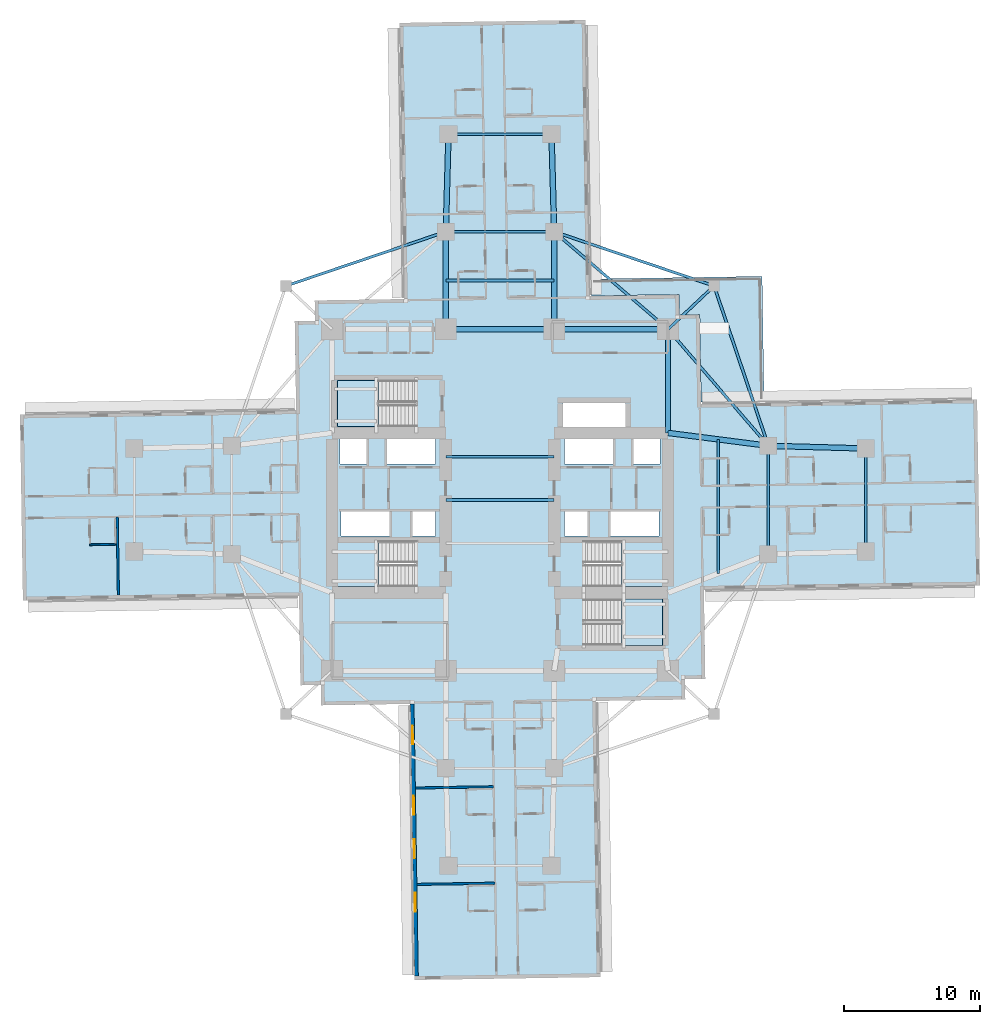
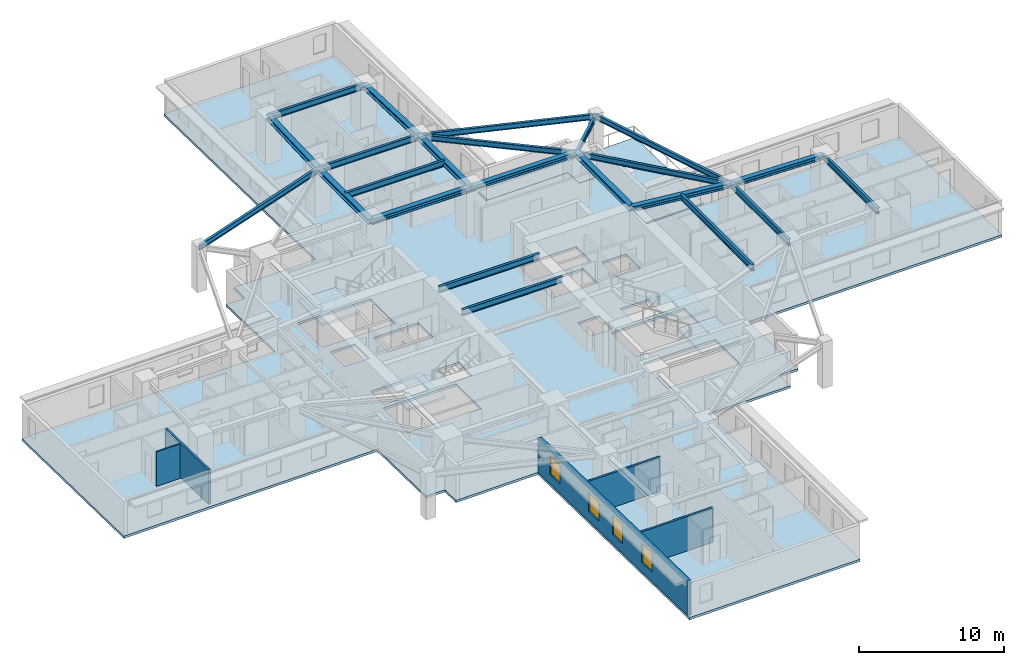
# One storey, part 2 of 14: 23 beams, 6 slabs, 5 walls, 4 windows, 4 openings, 4 elements without a shape of their own.
"""IFC4 building model written with IfcOpenShell, lengths in metres."""

from ifc_helpers import new_model, si_unit, direction, frame, frame_2d, origin, origin_2d, place, context, subcontext, project, spatial, polyline, rectangle, i_section, outline, extrude, material, layer, layer_set, material_profile, profile_set, type_object, element, fill, aggregate, save


model = new_model("IFC4")

# Units and contexts
model_context = context("Model", 3, precision=1e-05, world=origin(), true_north=direction((0.0, 1.0)))
body_context = subcontext(model_context, "Body", "Model", "MODEL_VIEW")
ifc_project = project(units=[si_unit("LENGTHUNIT", "METRE"), si_unit("AREAUNIT", "SQUARE_METRE"), si_unit("VOLUMEUNIT", "CUBIC_METRE"), si_unit("PLANEANGLEUNIT", "RADIAN"), si_unit("MASSUNIT", "GRAM", prefix="KILO")], contexts=[model_context])

# Site, building, storey
site_placement = place(None, origin())
site = spatial("IfcSite", under=ifc_project, at=site_placement, CompositionType="ELEMENT")
building_placement = place(site_placement, origin())
building = spatial("IfcBuilding", under=site, at=building_placement, Name="Qingluan Cross Belvedere", CompositionType="ELEMENT")
storey_placement = place(building_placement, frame((0.0, 0.0, 27.60009765625)))
storey = spatial("IfcBuildingStorey", under=building, at=storey_placement, Name="L07", CompositionType="ELEMENT", Elevation=27.60009765625)

# Beams
ifc_material_1 = material(Name="Steel Q420GJB", Category="steel")
ifc_material_profile_1 = material_profile(ifc_material_1, i_section(OverallWidth=0.199951171875, OverallDepth=0.449951171875, WebThickness=0.009033203125, FlangeThickness=0.013916015625, FilletRadius=0.01611328125, at=origin_2d()), Name="HN450x200x9x14")
ifc_profile_set_1 = profile_set([ifc_material_profile_1], Name="Steel Q420GJB")
beam_type_1 = type_object("IfcBeamType", Name="Steel_Beam_HN450x200x9x14", PredefinedType="JOIST", material=ifc_profile_set_1)
beam_1_placement = place(storey_placement, frame((12.39990234375, 12.60009765625, 3.454833984375), z_axis=(0.728219948308, 0.685343495546, 0.0), x_axis=(-0.685343495546, 0.728219948308, 0.0)))
element("IfcBeam", 1, at=beam_1_placement, inside=storey, type_object=beam_type_1, Name="Corner beam 1 L07-RNE", PredefinedType="JOIST", context=body_context, shape_type="SweptSolid", body=[
    extrude(i_section(OverallWidth=0.199951171875, OverallDepth=0.449951171875, WebThickness=0.009033203125, FlangeThickness=0.013916015625, FilletRadius=0.01611328125, at=origin_2d()), origin(), (0.0, 0.0, 1.0), 4.669189453125),
])
for number, where, z_axis, x_axis, name in (
    (2, (15.800048828125, 15.800048828125, 3.454833984375), (-0.947066283324, 0.321038089628, 0.0), (-0.321038089628, -0.947066283324, 0.0), "Corner beam 2 L07-RNE"),
    (3, (15.800048828125, 15.800048828125, 3.454833984375), (0.321038089628, -0.947066283324, 0.0), (0.947066283324, 0.321038089628, 0.0), "Corner beam 3 L07-RNE"),
):
    element("IfcBeam", number, at=place(storey_placement, frame(where, z_axis=z_axis, x_axis=x_axis)), inside=storey, type_object=beam_type_1, Name=name, PredefinedType="JOIST", context=body_context, shape_type="SweptSolid", body=[
        extrude(i_section(OverallWidth=0.199951171875, OverallDepth=0.449951171875, WebThickness=0.009033203125, FlangeThickness=0.013916015625, FilletRadius=0.01611328125, at=origin_2d()), origin(), (0.0, 0.0, 1.0), 12.45947265625),
    ])
beam_2_placement = place(storey_placement, frame((12.39990234375, 12.60009765625, 3.454833984375), z_axis=(0.652245077546, -0.75800815221, 0.0), x_axis=(0.75800815221, 0.652245077546, 0.0)))
element("IfcBeam", 4, at=beam_2_placement, inside=storey, type_object=beam_type_1, Name="Corner beam 4 L07-RNE", PredefinedType="JOIST", context=body_context, shape_type="SweptSolid", body=[
    extrude(i_section(OverallWidth=0.199951171875, OverallDepth=0.449951171875, WebThickness=0.009033203125, FlangeThickness=0.013916015625, FilletRadius=0.01611328125, at=origin_2d()), origin(), (0.0, 0.0, 1.0), 11.345703125),
])
beam_3_placement = place(storey_placement, frame((12.39990234375, 12.60009765625, 3.454833984375), z_axis=(-0.759255044656, 0.650793190779, 0.0), x_axis=(-0.650793190779, -0.759255044656, 0.0)))
element("IfcBeam", 5, at=beam_3_placement, inside=storey, type_object=beam_type_1, Name="Corner beam 5 L07-RNE", PredefinedType="JOIST", context=body_context, shape_type="SweptSolid", body=[
    extrude(i_section(OverallWidth=0.199951171875, OverallDepth=0.449951171875, WebThickness=0.009033203125, FlangeThickness=0.013916015625, FilletRadius=0.01611328125, at=origin_2d()), origin(), (0.0, 0.0, 1.0), 11.063232421875),
])
beam_4_placement = place(storey_placement, frame((-15.800048828125, 15.800048828125, 3.474853515625), z_axis=(0.947066283324, 0.321038089628, 0.0), x_axis=(-0.321038089628, 0.947066283324, 0.0)))
element("IfcBeam", 6, at=beam_4_placement, inside=storey, type_object=beam_type_1, Name="Corner beam 2 L07-RNW", PredefinedType="JOIST", context=body_context, shape_type="SweptSolid", body=[
    extrude(i_section(OverallWidth=0.199951171875, OverallDepth=0.449951171875, WebThickness=0.009033203125, FlangeThickness=0.013916015625, FilletRadius=0.01611328125, at=origin_2d()), origin(), (0.0, 0.0, 1.0), 12.45947265625),
])
ifc_material_2 = material(Name="Steel Q420GJB", Category="steel")
ifc_material_profile_2 = material_profile(ifc_material_2, i_section(OverallWidth=0.199951171875, OverallDepth=0.5, WebThickness=0.010009765625, FlangeThickness=0.01611328125, FilletRadius=0.01611328125, at=origin_2d()), Name="HN500x200x10x16")
ifc_profile_set_2 = profile_set([ifc_material_profile_2], Name="Steel Q420GJB")
beam_type_2 = type_object("IfcBeamType", Name="Steel_Beam_HN500x200x10x16", PredefinedType="JOIST", material=ifc_profile_set_2)
for number, where, z_axis, x_axis, name in (
    (7, (-4.0, 0.0, 3.449951171875), (1.0, 0.0, 0.0), (0.0, 1.0, 0.0), "Hall beam L07-CH2"),
    (8, (-4.0, 3.199951171875, 3.449951171875), (1.0, 0.0, 0.0), (0.0, 1.0, 0.0), "Hall beam L07-CH3"),
    (9, (19.800048828125, -4.0, 3.449951171875), (0.0, 1.0, 0.0), (-1.0, 0.0, 0.0), "Arm E tie L07"),
):
    element("IfcBeam", number, at=place(storey_placement, frame(where, z_axis=z_axis, x_axis=x_axis)), inside=storey, type_object=beam_type_2, Name=name, PredefinedType="JOIST", context=body_context, shape_type="SweptSolid", body=[
        extrude(i_section(OverallWidth=0.199951171875, OverallDepth=0.5, WebThickness=0.010009765625, FlangeThickness=0.01611328125, FilletRadius=0.01611328125, at=origin_2d()), origin(), (0.0, 0.0, 1.0), 8.0),
    ])
beam_5_placement = place(storey_placement, frame((16.10009765625, -5.425048828125, 3.449951171875), z_axis=(0.0, 1.0, 0.0), x_axis=(-1.0, 0.0, 0.0)))
element("IfcBeam", 10, at=beam_5_placement, inside=storey, type_object=beam_type_2, Name="Arm E beam L07", PredefinedType="JOIST", context=body_context, shape_type="SweptSolid", body=[
    extrude(i_section(OverallWidth=0.199951171875, OverallDepth=0.5, WebThickness=0.010009765625, FlangeThickness=0.01611328125, FilletRadius=0.01611328125, at=origin_2d()), origin(), (0.0, 0.0, 1.0), 9.900146484375),
])
beam_6_placement = place(storey_placement, frame((27.0, -3.800048828125, 3.449951171875), z_axis=(0.0, 1.0, 0.0), x_axis=(-1.0, 0.0, 0.0)))
element("IfcBeam", 11, at=beam_6_placement, inside=storey, type_object=beam_type_2, Name="Arm E tip transverse beam L07", PredefinedType="JOIST", context=body_context, shape_type="SweptSolid", body=[
    extrude(i_section(OverallWidth=0.199951171875, OverallDepth=0.5, WebThickness=0.010009765625, FlangeThickness=0.01611328125, FilletRadius=0.01611328125, at=origin_2d()), origin(), (0.0, 0.0, 1.0), 7.60009765625),
])
for number, where, z_axis, x_axis, name in (
    (12, (-4.0, 19.800048828125, 3.449951171875), (1.0, 0.0, 0.0), (0.0, 1.0, 0.0), "Arm N tie L07"),
    (13, (-4.0, 16.199951171875, 3.449951171875), (1.0, 0.0, 0.0), (0.0, 1.0, 0.0), "Arm N beam L07"),
):
    element("IfcBeam", number, at=place(storey_placement, frame(where, z_axis=z_axis, x_axis=x_axis)), inside=storey, type_object=beam_type_2, Name=name, PredefinedType="JOIST", context=body_context, shape_type="SweptSolid", body=[
        extrude(i_section(OverallWidth=0.199951171875, OverallDepth=0.5, WebThickness=0.010009765625, FlangeThickness=0.01611328125, FilletRadius=0.01611328125, at=origin_2d()), origin(), (0.0, 0.0, 1.0), 8.0),
    ])
beam_7_placement = place(storey_placement, frame((-3.800048828125, 27.0, 3.449951171875), z_axis=(1.0, 0.0, 0.0), x_axis=(0.0, 1.0, 0.0)))
element("IfcBeam", 14, at=beam_7_placement, inside=storey, type_object=beam_type_2, Name="Arm N tip transverse beam L07", PredefinedType="JOIST", context=body_context, shape_type="SweptSolid", body=[
    extrude(i_section(OverallWidth=0.199951171875, OverallDepth=0.5, WebThickness=0.010009765625, FlangeThickness=0.01611328125, FilletRadius=0.01611328125, at=origin_2d()), origin(), (0.0, 0.0, 1.0), 7.60009765625),
])
ifc_material_3 = material(Name="Steel Q420GJB", Category="steel")
ifc_material_profile_3 = material_profile(ifc_material_3, i_section(OverallWidth=0.39990234375, OverallDepth=0.39990234375, WebThickness=0.012939453125, FlangeThickness=0.02099609375, FilletRadius=0.02197265625, at=origin_2d()), Name="HW400x400x13x21")
ifc_profile_set_3 = profile_set([ifc_material_profile_3], Name="Steel Q420GJB")
beam_type_3 = type_object("IfcBeamType", Name="Steel_Girder_HW400x400x13x21", PredefinedType="USERDEFINED", material=ifc_profile_set_3)
beam_8_placement = place(storey_placement, frame((-4.0, 12.60009765625, 3.5), z_axis=(1.0, 0.0, 0.0), x_axis=(0.0, 1.0, 0.0)))
element("IfcBeam", 15, at=beam_8_placement, inside=storey, type_object=beam_type_3, Name="Hub girder L07-HG-N2", ObjectType="GIRDER", PredefinedType="USERDEFINED", context=body_context, shape_type="SweptSolid", body=[
    extrude(i_section(OverallWidth=0.39990234375, OverallDepth=0.39990234375, WebThickness=0.012939453125, FlangeThickness=0.02099609375, FilletRadius=0.02197265625, at=origin_2d()), origin(), (0.0, 0.0, 1.0), 8.0),
])
beam_9_placement = place(storey_placement, frame((4.0, 12.60009765625, 3.5), z_axis=(1.0, 0.0, 0.0), x_axis=(0.0, 1.0, 0.0)))
element("IfcBeam", 16, at=beam_9_placement, inside=storey, type_object=beam_type_3, Name="Hub girder L07-HG-N3", ObjectType="GIRDER", PredefinedType="USERDEFINED", context=body_context, shape_type="SweptSolid", body=[
    extrude(i_section(OverallWidth=0.39990234375, OverallDepth=0.39990234375, WebThickness=0.012939453125, FlangeThickness=0.02099609375, FilletRadius=0.02197265625, at=origin_2d()), origin(), (0.0, 0.0, 1.0), 8.39990234375),
])
beam_10_placement = place(storey_placement, frame((12.39990234375, 4.949951171875, 3.5), z_axis=(0.0, 1.0, 0.0), x_axis=(-1.0, 0.0, 0.0)))
element("IfcBeam", 17, at=beam_10_placement, inside=storey, type_object=beam_type_3, Name="Hub girder L07-HG-E2", ObjectType="GIRDER", PredefinedType="USERDEFINED", context=body_context, shape_type="SweptSolid", body=[
    extrude(i_section(OverallWidth=0.39990234375, OverallDepth=0.39990234375, WebThickness=0.012939453125, FlangeThickness=0.02099609375, FilletRadius=0.02197265625, at=origin_2d()), origin(), (0.0, 0.0, 1.0), 7.650146484375),
])
beam_11_placement = place(storey_placement, frame((12.39990234375, 4.949951171875, 3.5), z_axis=(0.991861120628, -0.12732445714, 0.0), x_axis=(0.12732445714, 0.991861120628, 0.0)))
element("IfcBeam", 18, at=beam_11_placement, inside=storey, type_object=beam_type_3, Name="Arm E radial girder B L07", ObjectType="GIRDER", PredefinedType="USERDEFINED", context=body_context, shape_type="SweptSolid", body=[
    extrude(i_section(OverallWidth=0.39990234375, OverallDepth=0.39990234375, WebThickness=0.012939453125, FlangeThickness=0.02099609375, FilletRadius=0.02197265625, at=origin_2d()), origin(), (0.0, 0.0, 1.0), 7.4609375),
])
beam_12_placement = place(storey_placement, frame((19.800048828125, 4.0, 3.5), z_axis=(0.999614603568, -0.027760481514, 0.0), x_axis=(0.027760481514, 0.999614603568, 0.0)))
element("IfcBeam", 19, at=beam_12_placement, inside=storey, type_object=beam_type_3, Name="Arm E outer radial girder B L07", ObjectType="GIRDER", PredefinedType="USERDEFINED", context=body_context, shape_type="SweptSolid", body=[
    extrude(i_section(OverallWidth=0.39990234375, OverallDepth=0.39990234375, WebThickness=0.012939453125, FlangeThickness=0.02099609375, FilletRadius=0.02197265625, at=origin_2d()), origin(), (0.0, 0.0, 1.0), 7.20263671875),
])
for number, where, z_axis, x_axis, name in (
    (20, (-4.0, 12.60009765625, 3.5), (0.0, 1.0, 0.0), (-1.0, 0.0, 0.0), "Arm N radial girder A L07"),
    (21, (4.0, 12.60009765625, 3.5), (0.0, 1.0, 0.0), (-1.0, 0.0, 0.0), "Arm N radial girder B L07"),
):
    element("IfcBeam", number, at=place(storey_placement, frame(where, z_axis=z_axis, x_axis=x_axis)), inside=storey, type_object=beam_type_3, Name=name, ObjectType="GIRDER", PredefinedType="USERDEFINED", context=body_context, shape_type="SweptSolid", body=[
        extrude(i_section(OverallWidth=0.39990234375, OverallDepth=0.39990234375, WebThickness=0.012939453125, FlangeThickness=0.02099609375, FilletRadius=0.02197265625, at=origin_2d()), origin(), (0.0, 0.0, 1.0), 7.199951171875),
    ])
for number, where, z_axis, x_axis, name in (
    (22, (-4.0, 19.800048828125, 3.5), (0.027760481514, 0.999614603568, 0.0), (-0.999614603568, 0.027760481514, 0.0), "Arm N outer radial girder A L07"),
    (23, (4.0, 19.800048828125, 3.5), (-0.027760481514, 0.999614603568, 0.0), (-0.999614603568, -0.027760481514, 0.0), "Arm N outer radial girder B L07"),
):
    element("IfcBeam", number, at=place(storey_placement, frame(where, z_axis=z_axis, x_axis=x_axis)), inside=storey, type_object=beam_type_3, Name=name, ObjectType="GIRDER", PredefinedType="USERDEFINED", context=body_context, shape_type="SweptSolid", body=[
        extrude(i_section(OverallWidth=0.39990234375, OverallDepth=0.39990234375, WebThickness=0.012939453125, FlangeThickness=0.02099609375, FilletRadius=0.02197265625, at=origin_2d()), origin(), (0.0, 0.0, 1.0), 7.20263671875),
    ])

# Slab
ifc_material_4 = material(Name="Concrete C40", Category="concrete")
ifc_layer_1 = layer(ifc_material_4, 0.199951171875, Name="FloorSlab_200")
ifc_layer_set_1 = layer_set([ifc_layer_1], Name="Concrete C40")
slab_type_1 = type_object("IfcSlabType", Name="FloorSlab_200", PredefinedType="FLOOR", material=ifc_layer_set_1)
slab_1_placement = place(storey_placement, frame((0.0, 0.0, -0.2001953125)))
element("IfcSlab", 24, at=slab_1_placement, inside=storey, type_object=slab_type_1, Name="Structural floor slab L07", PredefinedType="FLOOR", context=body_context, shape_type="SweptSolid", body=[
    extrude(outline(polyline([(7.413818359375, -35.2080078125), (7.09375, -14.830322265625), (13.673095703125, -14.72705078125), (13.6494140625, -13.227294921875), (15.1494140625, -13.20361328125), (15.0458984375, -6.62451171875), (35.42333984375, -6.304443359375), (35.2080078125, 7.413818359375), (14.830322265625, 7.09375), (14.72705078125, 13.673095703125), (13.227294921875, 13.6494140625), (13.20361328125, 15.1494140625), (6.62451171875, 15.0458984375), (6.304443359375, 35.42333984375), (-7.413818359375, 35.2080078125), (-7.09375, 14.830322265625), (-13.673095703125, 14.72705078125), (-13.6494140625, 13.227294921875), (-15.1494140625, 13.20361328125), (-15.0458984375, 6.62451171875), (-35.42333984375, 6.304443359375), (-35.2080078125, -7.413818359375), (-14.830322265625, -7.09375), (-14.72705078125, -13.673095703125), (-13.227294921875, -13.6494140625), (-13.20361328125, -15.1494140625), (-6.62451171875, -15.0458984375), (-6.304443359375, -35.42333984375), (7.413818359375, -35.2080078125)]), holes=[polyline([(-12.0, -3.0), (-6.179931640625, -3.0), (-6.179931640625, -6.39990234375), (-12.0, -6.39990234375), (-12.0, -3.0)]), polyline([(6.179931640625, -3.0), (12.0, -3.0), (12.0, -6.39990234375), (6.179931640625, -6.39990234375), (6.179931640625, -3.0)]), polyline([(-12.0, 8.820068359375), (-6.179931640625, 8.820068359375), (-6.179931640625, 5.419921875), (-12.0, 5.419921875), (-12.0, 8.820068359375)]), polyline([(6.179931640625, -7.320068359375), (12.0, -7.320068359375), (12.0, -10.719970703125), (6.179931640625, -10.719970703125), (6.179931640625, -7.320068359375)]), polyline([(-11.800048828125, 4.64990234375), (-9.85009765625, 4.64990234375), (-9.85009765625, 2.64990234375), (-11.800048828125, 2.64990234375), (-11.800048828125, 4.64990234375)]), polyline([(-8.35009765625, 4.64990234375), (-4.75, 4.64990234375), (-4.75, 2.64990234375), (-8.35009765625, 2.64990234375), (-8.35009765625, 4.64990234375)]), polyline([(4.75, 4.64990234375), (8.35009765625, 4.64990234375), (8.35009765625, 2.64990234375), (4.75, 2.64990234375), (4.75, 4.64990234375)]), polyline([(9.85009765625, 4.64990234375), (11.800048828125, 4.64990234375), (11.800048828125, 2.64990234375), (9.85009765625, 2.64990234375), (9.85009765625, 4.64990234375)]), polyline([(-11.75, -0.840087890625), (-8.14990234375, -0.840087890625), (-8.14990234375, -2.659912109375), (-11.75, -2.659912109375), (-11.75, -0.840087890625)]), polyline([(-6.449951171875, -0.840087890625), (-4.75, -0.840087890625), (-4.75, -2.659912109375), (-6.449951171875, -2.659912109375), (-6.449951171875, -0.840087890625)]), polyline([(4.75, -0.840087890625), (6.449951171875, -0.840087890625), (6.449951171875, -2.659912109375), (4.75, -2.659912109375), (4.75, -0.840087890625)]), polyline([(8.14990234375, -0.840087890625), (11.75, -0.840087890625), (11.75, -2.659912109375), (8.14990234375, -2.659912109375), (8.14990234375, -0.840087890625)]), polyline([(4.64990234375, 7.14990234375), (9.25, 7.14990234375), (9.25, 5.14990234375), (4.64990234375, 5.14990234375), (4.64990234375, 7.14990234375)])]), origin(), (0.0, 0.0, 1.0), 0.2001953125),
])

# Stair, slab
ifc_material_5 = material(Name="Concrete C40", Category="concrete")
stair_type = type_object("IfcStairType", Name="CoreDoglegStair_1620", PredefinedType="HALF_TURN_STAIR", material=ifc_material_5)
stair_1_placement = place(storey_placement, origin())
stair_1 = element("IfcStair", 25, at=stair_1_placement, inside=storey, type_object=stair_type, Name="L07 ST1", PredefinedType="HALF_TURN_STAIR")
ifc_material_6 = material(Name="Concrete C40", Category="concrete")
ifc_layer_2 = layer(ifc_material_6, 0.179931640625, Name="StairLandingSlab_180")
ifc_layer_set_2 = layer_set([ifc_layer_2], Name="Concrete C40")
slab_type_2 = type_object("IfcSlabType", Name="StairLandingSlab_180", PredefinedType="LANDING", material=ifc_layer_set_2)
slab_2_placement = place(storey_placement, frame((0.0, 0.0, 1.75)))
slab_2 = element("IfcSlab", 26, at=slab_2_placement, type_object=slab_type_2, Name="ST1 landing 1", PredefinedType="LANDING", context=body_context, shape_type="SweptSolid", body=[
    extrude(outline(polyline([(-8.97998046875, -3.0), (-12.0, -3.0), (-12.0, -6.39990234375), (-8.97998046875, -6.39990234375), (-8.97998046875, -3.0)])), origin(), (0.0, 0.0, 1.0), 0.199951171875),
])
aggregate(stair_1, [slab_2])

stair_2_placement = place(storey_placement, origin())
stair_2 = element("IfcStair", 27, at=stair_2_placement, inside=storey, type_object=stair_type, Name="L07 ST2", PredefinedType="HALF_TURN_STAIR")
slab_3_placement = place(storey_placement, frame((0.0, 0.0, 1.75)))
slab_3 = element("IfcSlab", 28, at=slab_3_placement, type_object=slab_type_2, Name="ST2 landing 1", PredefinedType="LANDING", context=body_context, shape_type="SweptSolid", body=[
    extrude(outline(polyline([(8.97998046875, -6.39990234375), (12.0, -6.39990234375), (12.0, -3.0), (8.97998046875, -3.0), (8.97998046875, -6.39990234375)])), origin(), (0.0, 0.0, 1.0), 0.199951171875),
])
aggregate(stair_2, [slab_3])

stair_3_placement = place(storey_placement, origin())
stair_3 = element("IfcStair", 29, at=stair_3_placement, inside=storey, type_object=stair_type, Name="L07 ST3", PredefinedType="HALF_TURN_STAIR")
slab_4_placement = place(storey_placement, frame((0.0, 0.0, 1.75)))
slab_4 = element("IfcSlab", 30, at=slab_4_placement, type_object=slab_type_2, Name="ST3 landing 1", PredefinedType="LANDING", context=body_context, shape_type="SweptSolid", body=[
    extrude(outline(polyline([(-8.97998046875, 8.820068359375), (-12.0, 8.820068359375), (-12.0, 5.419921875), (-8.97998046875, 5.419921875), (-8.97998046875, 8.820068359375)])), origin(), (0.0, 0.0, 1.0), 0.199951171875),
])
aggregate(stair_3, [slab_4])

stair_4_placement = place(storey_placement, origin())
stair_4 = element("IfcStair", 31, at=stair_4_placement, inside=storey, type_object=stair_type, Name="L07 ST4", PredefinedType="HALF_TURN_STAIR")
slab_5_placement = place(storey_placement, frame((0.0, 0.0, 1.75)))
slab_5 = element("IfcSlab", 32, at=slab_5_placement, type_object=slab_type_2, Name="ST4 landing 1", PredefinedType="LANDING", context=body_context, shape_type="SweptSolid", body=[
    extrude(outline(polyline([(8.97998046875, -10.719970703125), (12.0, -10.719970703125), (12.0, -7.320068359375), (8.97998046875, -7.320068359375), (8.97998046875, -10.719970703125)])), origin(), (0.0, 0.0, 1.0), 0.199951171875),
])
aggregate(stair_4, [slab_5])

# Slab
ifc_material_7 = material(Name="Concrete C40", Category="concrete")
ifc_layer_3 = layer(ifc_material_7, 0.219970703125, Name="TerraceSlab_220")
ifc_layer_set_3 = layer_set([ifc_layer_3], Name="Concrete C40")
slab_type_3 = type_object("IfcSlabType", Name="TerraceSlab_220", PredefinedType="FLOOR", material=ifc_layer_set_3)
slab_6_placement = place(storey_placement, frame((0.0, 0.0, -0.22021484375)))
element("IfcSlab", 33, at=slab_6_placement, inside=storey, type_object=slab_type_3, Name="Spiralling winter-garden terrace slab L07", PredefinedType="FLOOR", context=body_context, shape_type="SweptSolid", body=[
    extrude(outline(polyline([(6.764404296875, 15.05810546875), (13.208984375, 15.15771484375), (13.237060546875, 13.65966796875), (14.726806640625, 13.68310546875), (14.73681640625, 13.675048828125), (14.838134765625, 7.23388671875), (19.487548828125, 7.306884765625), (19.343017578125, 16.505859375), (6.74462890625, 16.30810546875), (6.764404296875, 15.05810546875)])), origin(), (0.0, 0.0, 1.0), 0.22021484375),
])

# Walls
ifc_material_8 = material(Name="Gypsum plasterboard on steel stud acoustic partition", Category="steel")
ifc_layer_4 = layer(ifc_material_8, 0.159912109375, Name="CorridorPartition_160")
ifc_layer_set_4 = layer_set([ifc_layer_4], Name="Gypsum plasterboard on steel stud acoustic partition")
wall_type_1 = type_object("IfcWallType", Name="CorridorPartition_160", PredefinedType="PARTITIONING", material=ifc_layer_set_4)
for number, where, z_axis, x_axis, name in (
    (34, (-28.251953125, -1.243896484375, 0.0), (0.0, 0.0, 1.0), (0.015692470796, -0.999876865599, 0.0), "Partition L07:W:d1_1"),
    (35, (-0.4677734375, -21.162109375, 0.0), (0.0, 0.0, 1.0), (-0.999876865599, -0.015692470796, 0.0), "Partition L07:S:d1_0"),
    (36, (-0.35595703125, -28.277099609375, 0.0), (0.0, 0.0, 1.0), (-0.999876201031, -0.015734758102, 0.0), "Partition L07:S:d1_1"),
):
    element("IfcWall", number, at=place(storey_placement, frame(where, z_axis=z_axis, x_axis=x_axis)), inside=storey, type_object=wall_type_1, Name=name, PredefinedType="PARTITIONING", context=body_context, shape_type="SweptSolid", body=[
        extrude(rectangle(XDim=5.77197265625, YDim=0.159912109375, at=frame_2d((2.885986328125, 0.0))), origin(), (0.0, 0.0, 1.0), 2.89990234375),
    ])
ifc_material_9 = material(Name="Moisture-resistant gypsum board lining")
ifc_layer_5 = layer(ifc_material_9, 0.1201171875, Name="EnsuiteWetPartition_120")
ifc_layer_set_5 = layer_set([ifc_layer_5], Name="Moisture-resistant gypsum board lining")
wall_type_2 = type_object("IfcWallType", Name="EnsuiteWetPartition_120", PredefinedType="PARTITIONING", material=ifc_layer_set_5)
wall_1_placement = place(storey_placement, frame((-28.380126953125, -3.271240234375, 0.0), z_axis=(0.0, 0.0, 1.0), x_axis=(-0.999876553475, -0.01571234584, 0.0)))
element("IfcWall", 37, at=wall_1_placement, inside=storey, type_object=wall_type_2, Name="Partition L07:W:bc1_2", PredefinedType="PARTITIONING", context=body_context, shape_type="SweptSolid", body=[
    extrude(rectangle(XDim=1.880126953125, YDim=0.1201171875, at=frame_2d((0.93994140625, 0.0))), origin(), (0.0, 0.0, 1.0), 2.89990234375),
])

# Wall, openings, windows
ifc_material_10 = material(Name="Precast concrete C45", Category="concrete")
ifc_layer_6 = layer(ifc_material_10, 0.280029296875, Name="PrecastFacadeWall_280")
ifc_layer_set_6 = layer_set([ifc_layer_6], Name="Precast concrete C45")
wall_type_3 = type_object("IfcWallType", Name="PrecastFacadeWall_280", PredefinedType="STANDARD", material=ifc_layer_set_6)
wall_2_placement = place(storey_placement, frame((-6.484619140625, -15.043701171875, 0.0), z_axis=(0.0, 0.0, 1.0), x_axis=(0.01571739401, -0.999876474133, 0.0)))
wall_2 = element("IfcWall", 38, at=wall_2_placement, inside=storey, type_object=wall_type_3, Name="Facade wall L07-SA", PredefinedType="STANDARD", context=body_context, shape_type="SweptSolid", body=[
    extrude(rectangle(XDim=20.099853515625, YDim=0.280029296875, at=frame_2d((10.0498046875, 0.0))), origin(), (0.0, 0.0, 1.0), 2.909912109375),
])
opening_1_placement = place(wall_2_placement, frame((1.60009765625, 0.0, 0.800048828125)))
opening_1 = element("IfcOpeningElement", 39, at=opening_1_placement, cuts=wall_2, Name="Opening W-01", PredefinedType="OPENING", context=body_context, shape_type="SweptSolid", body=[
    extrude(rectangle(XDim=1.39990234375, YDim=1.60009765625, at=frame_2d((0.699951171875, 0.800048828125))), frame((0.0, 0.14990234375, 0.0), z_axis=(0.0, -1.0, 0.0), x_axis=(1.0, 0.0, 0.0)), (0.0, 0.0, 1.0), 0.300048828125),
])
opening_2_placement = place(wall_2_placement, frame((6.800048828125, 0.0, 0.800048828125)))
opening_2 = element("IfcOpeningElement", 40, at=opening_2_placement, cuts=wall_2, Name="Opening W-01", PredefinedType="OPENING", context=body_context, shape_type="SweptSolid", body=[
    extrude(rectangle(XDim=1.39990234375, YDim=1.60009765625, at=frame_2d((0.699951171875, 0.800048828125))), frame((0.0, 0.14990234375, 0.0), z_axis=(0.0, -1.0, 0.0), x_axis=(1.0, 0.0, 0.0)), (0.0, 0.0, 1.0), 0.300048828125),
])
opening_3_placement = place(wall_2_placement, frame((10.0, 0.0, 0.800048828125)))
opening_3 = element("IfcOpeningElement", 41, at=opening_3_placement, cuts=wall_2, Name="Opening W-01", PredefinedType="OPENING", context=body_context, shape_type="SweptSolid", body=[
    extrude(rectangle(XDim=1.39990234375, YDim=1.60009765625, at=frame_2d((0.699951171875, 0.800048828125))), frame((0.0, 0.14990234375, 0.0), z_axis=(0.0, -1.0, 0.0), x_axis=(1.0, 0.0, 0.0)), (0.0, 0.0, 1.0), 0.300048828125),
])
opening_4_placement = place(wall_2_placement, frame((13.949951171875, 0.0, 0.800048828125)))
opening_4 = element("IfcOpeningElement", 42, at=opening_4_placement, cuts=wall_2, Name="Opening W-01", PredefinedType="OPENING", context=body_context, shape_type="SweptSolid", body=[
    extrude(rectangle(XDim=1.39990234375, YDim=1.60009765625, at=frame_2d((0.699951171875, 0.800048828125))), frame((0.0, 0.14990234375, 0.0), z_axis=(0.0, -1.0, 0.0), x_axis=(1.0, 0.0, 0.0)), (0.0, 0.0, 1.0), 0.300048828125),
])
ifc_material_11 = material(Name="Thermally broken triple Low-E glass in aluminium frame", Category="aluminium")
window_type = type_object("IfcWindowType", Name="TriRibbonWin_1400x1600", PartitioningType="SINGLE_PANEL", PredefinedType="WINDOW", material=ifc_material_11)
window_1_placement = place(opening_1_placement, origin())
window_1 = element("IfcWindow", 43, at=window_1_placement, inside=storey, type_object=window_type, Name="Ribbon window L07-SA-1", OverallHeight=1.60009765625, OverallWidth=1.39990234375, PartitioningType="SINGLE_PANEL", PredefinedType="WINDOW", context=body_context, shape_type="SweptSolid", body=[
    extrude(rectangle(XDim=1.39990234375, YDim=1.60009765625, at=frame_2d((0.699951171875, 0.800048828125))), frame((0.0, 0.030029296875, 0.0), z_axis=(0.0, -1.0, 0.0), x_axis=(1.0, 0.0, 0.0)), (0.0, 0.0, 1.0), 0.06005859375),
])
fill(opening_1, window_1)
window_2_placement = place(opening_2_placement, origin())
window_2 = element("IfcWindow", 44, at=window_2_placement, inside=storey, type_object=window_type, Name="Ribbon window L07-SA-2", OverallHeight=1.60009765625, OverallWidth=1.39990234375, PartitioningType="SINGLE_PANEL", PredefinedType="WINDOW", context=body_context, shape_type="SweptSolid", body=[
    extrude(rectangle(XDim=1.39990234375, YDim=1.60009765625, at=frame_2d((0.699951171875, 0.800048828125))), frame((0.0, 0.030029296875, 0.0), z_axis=(0.0, -1.0, 0.0), x_axis=(1.0, 0.0, 0.0)), (0.0, 0.0, 1.0), 0.06005859375),
])
fill(opening_2, window_2)
window_3_placement = place(opening_3_placement, origin())
window_3 = element("IfcWindow", 45, at=window_3_placement, inside=storey, type_object=window_type, Name="Ribbon window L07-SA-3", OverallHeight=1.60009765625, OverallWidth=1.39990234375, PartitioningType="SINGLE_PANEL", PredefinedType="WINDOW", context=body_context, shape_type="SweptSolid", body=[
    extrude(rectangle(XDim=1.39990234375, YDim=1.60009765625, at=frame_2d((0.699951171875, 0.800048828125))), frame((0.0, 0.030029296875, 0.0), z_axis=(0.0, -1.0, 0.0), x_axis=(1.0, 0.0, 0.0)), (0.0, 0.0, 1.0), 0.06005859375),
])
fill(opening_3, window_3)
window_4_placement = place(opening_4_placement, origin())
window_4 = element("IfcWindow", 46, at=window_4_placement, inside=storey, type_object=window_type, Name="Ribbon window L07-SA-4", OverallHeight=1.60009765625, OverallWidth=1.39990234375, PartitioningType="SINGLE_PANEL", PredefinedType="WINDOW", context=body_context, shape_type="SweptSolid", body=[
    extrude(rectangle(XDim=1.39990234375, YDim=1.60009765625, at=frame_2d((0.699951171875, 0.800048828125))), frame((0.0, 0.030029296875, 0.0), z_axis=(0.0, -1.0, 0.0), x_axis=(1.0, 0.0, 0.0)), (0.0, 0.0, 1.0), 0.06005859375),
])
fill(opening_4, window_4)

save(model, "model.ifc")
